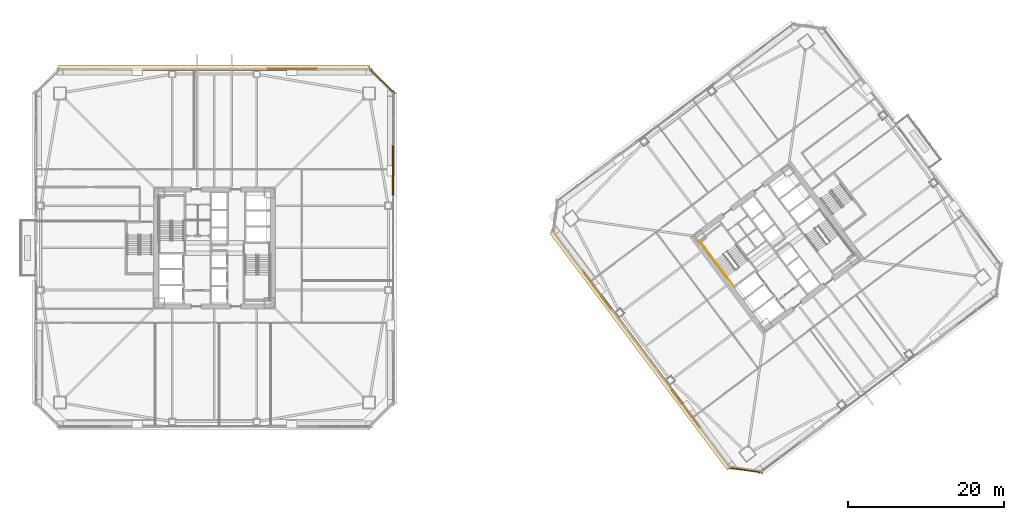
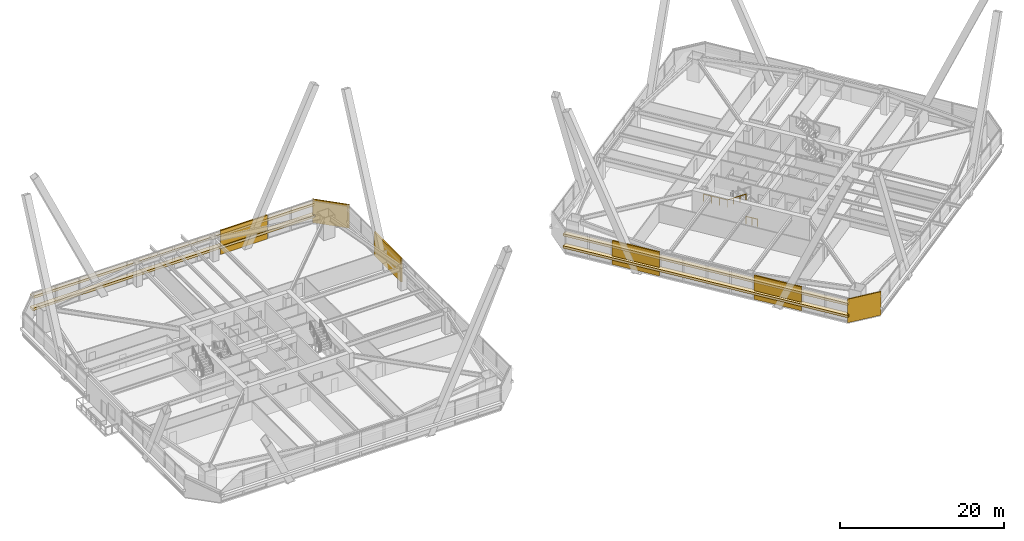
# One storey, part 71 of 75: 10 coverings, 3 railings.
"""IFC4 building model written with IfcOpenShell, lengths in metres."""

from ifc_helpers import new_model, si_unit, direction, frame, origin, origin_2d, place, context, subcontext, project, spatial, rectangle, extrude, material, layer, layer_set, type_object, element, save


model = new_model("IFC4")

# Units and contexts
model_context = context("Model", 3, precision=1e-05, world=origin(), true_north=direction((0.0, 1.0)))
body_context = subcontext(model_context, "Body", "Model", "MODEL_VIEW")
ifc_project = project(units=[si_unit("LENGTHUNIT", "METRE"), si_unit("AREAUNIT", "SQUARE_METRE"), si_unit("VOLUMEUNIT", "CUBIC_METRE"), si_unit("PLANEANGLEUNIT", "RADIAN"), si_unit("MASSUNIT", "GRAM", prefix="KILO")], contexts=[model_context])

# Site, building, storey
site_placement = place(None, origin())
site = spatial("IfcSite", under=ifc_project, at=site_placement, CompositionType="ELEMENT")
building_placement = place(site_placement, origin())
building = spatial("IfcBuilding", under=site, at=building_placement, Name="Tashvorn Skyway Center", CompositionType="ELEMENT")
storey_placement = place(building_placement, frame((0.0, 0.0, 45.89990234375)))
storey = spatial("IfcBuildingStorey", under=building, at=storey_placement, Name="L11", CompositionType="ELEMENT", Elevation=45.89990234375)

# Coverings
ifc_material_1 = material(Name="Precast concrete C40/50", Category="concrete")
ifc_layer_1 = layer(ifc_material_1, 0.199951171875)
ifc_layer_set_1 = layer_set([ifc_layer_1], Name="Precast concrete C40/50")
covering_type_1 = type_object("IfcCoveringType", Name="COV-BRACE-CLAD", PredefinedType="CLADDING", material=ifc_layer_set_1)
for number, where, z_axis, x_axis, name in (
    (1, (51.93994140625, 54.8798828125, 0.0), (0.0, 0.0, 1.0), (1.0, 0.0, 0.0), "Tower 1 L11 North Unitised Curtain Wall Mega-Brace Cladding Band 2"),
    (2, (64.8798828125, 41.93994140625, 0.0), (0.0, 0.0, 1.0), (0.0, -1.0, 0.0), "Tower 1 L11 East Unitised Curtain Wall Mega-Brace Cladding Band 1"),
):
    element("IfcCovering", number, at=place(storey_placement, frame(where, z_axis=z_axis, x_axis=x_axis)), inside=storey, type_object=covering_type_1, Name=name, PredefinedType="CLADDING", context=body_context, shape_type="SweptSolid", body=[
        extrude(rectangle(XDim=6.626708984375, YDim=0.199951171875, at=origin_2d()), origin(), (0.0, 0.0, 1.0), 3.550048828125),
    ])
for number, where, z_axis, x_axis, name in (
    (3, (102.320068359375, 11.43994140625, 0.0), (0.0, 0.0, 1.0), (-0.600000004945, 0.799999996291, 0.0), "Tower 2 L11 West Unitised Curtain Wall Mega-Brace Cladding Band 1"),
    (4, (90.991943359375, 26.5439453125, 0.0), (0.0, 0.0, 1.0), (-0.600000004945, 0.799999996291, 0.0), "Tower 2 L11 West Unitised Curtain Wall Mega-Brace Cladding Band 2"),
):
    element("IfcCovering", number, at=place(storey_placement, frame(where, z_axis=z_axis, x_axis=x_axis)), inside=storey, type_object=covering_type_1, Name=name, PredefinedType="CLADDING", context=body_context, shape_type="SweptSolid", body=[
        extrude(rectangle(XDim=6.293212890625, YDim=0.199951171875, at=origin_2d()), origin(), (0.0, 0.0, 1.0), 3.550048828125),
    ])
ifc_material_2 = material(Name="Perforated ceramic-coated bronze aluminium solar screen", Category="aluminium")
ifc_layer_2 = layer(ifc_material_2, 0.85009765625)
ifc_layer_set_2 = layer_set([ifc_layer_2], Name="Perforated ceramic-coated bronze aluminium solar screen")
covering_type_2 = type_object("IfcCoveringType", Name="COV-SOLAR-BAND", PredefinedType="CLADDING", material=ifc_layer_set_2)
for number, where, z_axis, x_axis, name in (
    (5, (42.0, 55.02001953125, 0.919921875), (0.0, 0.0, 1.0), (1.0, 0.0, 0.0), "L11 Perforated Ceramic-Metal Solar Screen Louvre Band North 1"),
    (6, (42.0, 55.02001953125, 2.72021484375), (0.0, 0.0, 1.0), (1.0, 0.0, 0.0), "L11 Perforated Ceramic-Metal Solar Screen Louvre Band North 2"),
):
    element("IfcCovering", number, at=place(storey_placement, frame(where, z_axis=z_axis, x_axis=x_axis)), inside=storey, type_object=covering_type_2, Name=name, PredefinedType="CLADDING", context=body_context, shape_type="SweptSolid", body=[
        extrude(rectangle(XDim=39.8798828125, YDim=0.639892578125, at=origin_2d()), origin(), (0.0, 0.0, 1.0), 0.360107421875),
    ])
for number, where, z_axis, x_axis, name in (
    (7, (96.5439453125, 18.907958984375, 0.919921875), (0.0, 0.0, 1.0), (-0.600000004945, 0.799999996291, 0.0), "L11 Perforated Ceramic-Metal Solar Screen Louvre Band West 1"),
    (8, (96.5439453125, 18.907958984375, 2.72021484375), (0.0, 0.0, 1.0), (-0.600000004945, 0.799999996291, 0.0), "L11 Perforated Ceramic-Metal Solar Screen Louvre Band West 2"),
):
    element("IfcCovering", number, at=place(storey_placement, frame(where, z_axis=z_axis, x_axis=x_axis)), inside=storey, type_object=covering_type_2, Name=name, PredefinedType="CLADDING", context=body_context, shape_type="SweptSolid", body=[
        extrude(rectangle(XDim=37.8798828125, YDim=0.639892578125, at=origin_2d()), origin(), (0.0, 0.0, 1.0), 0.360107421875),
    ])
ifc_layer_3 = layer(ifc_material_1, 0.35009765625)
ifc_layer_set_3 = layer_set([ifc_layer_3], Name="Precast concrete C40/50")
covering_type_3 = type_object("IfcCoveringType", Name="COV-STONE-TRIM", PredefinedType="CLADDING", material=ifc_layer_set_3)
covering_1_placement = place(storey_placement, frame((63.419921875, 53.419921875, 0.02001953125), z_axis=(0.0, 0.0, 1.0), x_axis=(0.707106781187, -0.707106781187, 0.0)))
element("IfcCovering", 9, at=covering_1_placement, inside=storey, type_object=covering_type_3, Name="Tower 1 L11 NE Mojave Limestone Corner Quoin", PredefinedType="CLADDING", context=body_context, shape_type="SweptSolid", body=[
    extrude(rectangle(XDim=4.685546875, YDim=0.139892578125, at=origin_2d()), origin(), (0.0, 0.0, 1.0), 3.510009765625),
])
covering_2_placement = place(storey_placement, frame((109.93603515625, 3.552001953125, 0.02001953125), z_axis=(0.0, 0.0, 1.0), x_axis=(-0.989949494535, 0.141421350118, 0.0)))
element("IfcCovering", 10, at=covering_2_placement, inside=storey, type_object=covering_type_3, Name="Tower 2 L11 SW Mojave Limestone Corner Quoin", PredefinedType="CLADDING", context=body_context, shape_type="SweptSolid", body=[
    extrude(rectangle(XDim=4.402587890625, YDim=0.139892578125, at=origin_2d()), origin(), (0.0, 0.0, 1.0), 3.510009765625),
])

# Railings
ifc_material_3 = material(Name="Brushed stainless steel 316", Category="steel")
railing_type_1 = type_object("IfcRailingType", Name="RAIL-HAND-920", PredefinedType="HANDRAIL", material=ifc_material_3)
railing_1_placement = place(storey_placement, frame((106.072021484375, 30.35400390625, 1.95263671875)))
element("IfcRailing", 11, at=railing_1_placement, inside=storey, type_object=railing_type_1, Name="L11 ST-T2-1 stair handrail 2", PredefinedType="HANDRAIL", context=body_context, shape_type="SweptSolid", body=[
    extrude(rectangle(XDim=0.048095703125, YDim=0.048095703125, at=origin_2d()), frame((0.0, 0.0, 0.8759765625), z_axis=(0.506740800098, -0.675708949977, 0.535379469569), x_axis=(0.800023250257, 0.599968998406, 0.0)), (0.0, 0.0, 1.0), 2.983642578125),
    extrude(rectangle(XDim=0.0419921875, YDim=0.0419921875, at=origin_2d()), origin(), (0.0, 0.0, 1.0), 0.851806640625),
    extrude(rectangle(XDim=0.0419921875, YDim=0.0419921875, at=origin_2d()), frame((0.50390625, -0.672119140625, 0.532470703125)), (0.0, 0.0, 1.0), 0.851806640625),
    extrude(rectangle(XDim=0.0419921875, YDim=0.0419921875, at=origin_2d()), frame((1.008056640625, -1.343994140625, 1.06494140625)), (0.0, 0.0, 1.0), 0.851806640625),
    extrude(rectangle(XDim=0.0419921875, YDim=0.0419921875, at=origin_2d()), frame((1.511962890625, -2.01611328125, 1.597412109375)), (0.0, 0.0, 1.0), 0.851806640625),
])
ifc_material_4 = material(Name="Painted galvanized steel S355", Category="steel")
railing_type_2 = type_object("IfcRailingType", Name="RAIL-STGUARD-1100", PredefinedType="GUARDRAIL", material=ifc_material_4)
railing_2_placement = place(storey_placement, frame((106.072021484375, 30.35400390625, 1.775146484375)))
element("IfcRailing", 12, at=railing_2_placement, inside=storey, type_object=railing_type_2, Name="L11 ST-T2-1 stair guard 3", PredefinedType="GUARDRAIL", context=body_context, shape_type="SweptSolid", body=[
    extrude(rectangle(XDim=0.048095703125, YDim=0.048095703125, at=origin_2d()), frame((0.0, 0.0, 1.076171875), z_axis=(-0.599987638607, 0.800009270896, 0.0), x_axis=(-0.800009270896, -0.599987638607, 0.0)), (0.0, 0.0, 1.0), 3.16015625),
    extrude(rectangle(XDim=0.0419921875, YDim=0.0419921875, at=origin_2d()), origin(), (0.0, 0.0, 1.0), 1.052001953125),
    extrude(rectangle(XDim=0.0419921875, YDim=0.0419921875, at=origin_2d()), frame((-0.632080078125, 0.8427734375, 0.0)), (0.0, 0.0, 1.0), 1.052001953125),
    extrude(rectangle(XDim=0.0419921875, YDim=0.0419921875, at=origin_2d()), frame((-1.263916015625, 1.685302734375, 0.0)), (0.0, 0.0, 1.0), 1.052001953125),
    extrude(rectangle(XDim=0.0419921875, YDim=0.0419921875, at=origin_2d()), frame((-1.89599609375, 2.528076171875, 0.0)), (0.0, 0.0, 1.0), 1.052001953125),
])
railing_3_placement = place(storey_placement, frame((108.49609375, 27.1220703125, 0.0)))
element("IfcRailing", 13, at=railing_3_placement, inside=storey, type_object=railing_type_2, Name="L11 ST-T2-1 stair guard 6", PredefinedType="GUARDRAIL", context=body_context, shape_type="SweptSolid", body=[
    extrude(rectangle(XDim=0.048095703125, YDim=0.048095703125, at=origin_2d()), frame((0.0, 0.0, 1.076171875), z_axis=(-0.600102796382, 0.799922892393, 0.0), x_axis=(-0.799922892393, -0.600102796382, 0.0)), (0.0, 0.0, 1.0), 1.52001953125),
    extrude(rectangle(XDim=0.0419921875, YDim=0.0419921875, at=origin_2d()), origin(), (0.0, 0.0, 1.0), 1.052001953125),
    extrude(rectangle(XDim=0.0419921875, YDim=0.0419921875, at=origin_2d()), frame((-0.4560546875, 0.60791015625, 0.0)), (0.0, 0.0, 1.0), 1.052001953125),
    extrude(rectangle(XDim=0.0419921875, YDim=0.0419921875, at=origin_2d()), frame((-0.912109375, 1.2158203125, 0.0)), (0.0, 0.0, 1.0), 1.052001953125),
])

save(model, "model.ifc")
